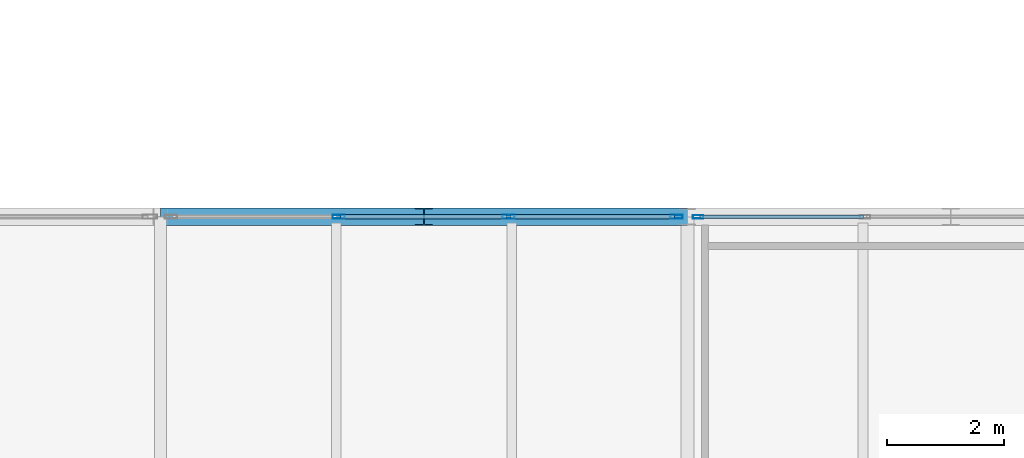
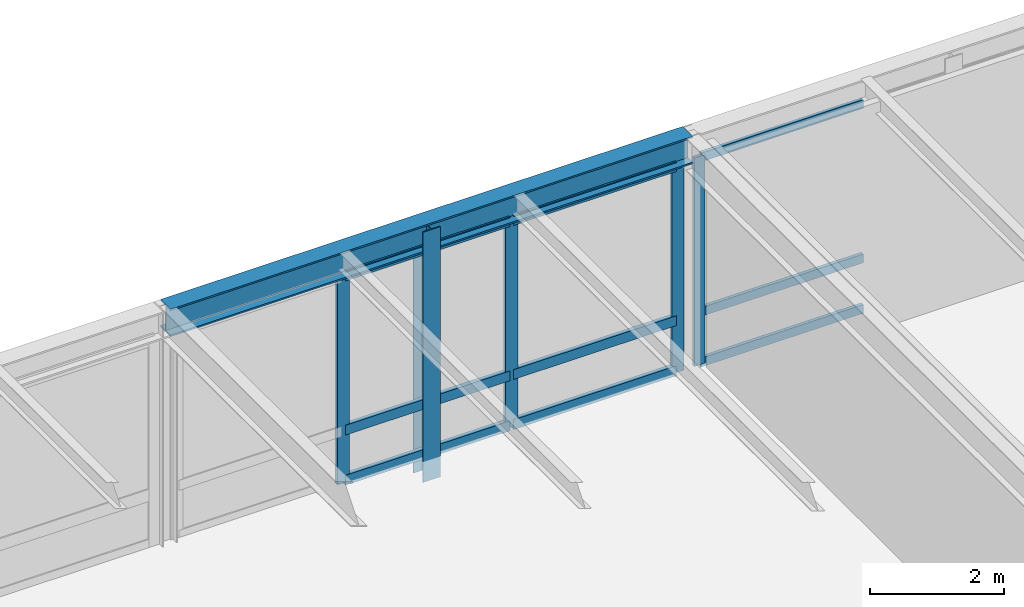
# One storey, part 72 of 115: 14 members, 1 beam, 2 elements without a shape of their own.
"""IFC4 building model written with IfcOpenShell, lengths in metres."""

from ifc_helpers import new_model, si_unit, direction, frame, origin, origin_2d, place, context, subcontext, project, spatial, hollow_rectangle, i_section, extrude, material, layer, layer_set, material_profile, profile_set, type_object, element, aggregate, save


model = new_model("IFC4")

# Units and contexts
model_context = context("Model", 3, precision=1e-05, world=origin(), true_north=direction((0.0, 1.0)))
body_context = subcontext(model_context, "Body", "Model", "MODEL_VIEW")
ifc_project = project(units=[si_unit("LENGTHUNIT", "METRE"), si_unit("AREAUNIT", "SQUARE_METRE"), si_unit("VOLUMEUNIT", "CUBIC_METRE"), si_unit("PLANEANGLEUNIT", "RADIAN"), si_unit("MASSUNIT", "GRAM", prefix="KILO")], contexts=[model_context])

# Site, building, storey
site_placement = place(None, origin())
site = spatial("IfcSite", under=ifc_project, at=site_placement, CompositionType="ELEMENT")
building_placement = place(site_placement, origin())
building = spatial("IfcBuilding", under=site, at=building_placement, Name="Montelvaro Courts of Justice", CompositionType="ELEMENT")
storey_placement = place(building_placement, frame((0.0, 0.0, 9.89990234375)))
storey = spatial("IfcBuildingStorey", under=building, at=storey_placement, Name="L02", CompositionType="ELEMENT", Elevation=9.89990234375)

# Beam
ifc_material_1 = material(Name="Steel S355", Category="steel")
ifc_material_profile_1 = material_profile(ifc_material_1, i_section(OverallWidth=0.300048828125, OverallDepth=0.5, WebThickness=0.014404296875, FlangeThickness=0.028076171875, at=origin_2d()), Name="HEB 500")
ifc_profile_set_1 = profile_set([ifc_material_profile_1], Name="Steel S355")
beam_type = type_object("IfcBeamType", Name="Beam_HEB500", PredefinedType="USERDEFINED", material=ifc_profile_set_1)
beam_placement = place(storey_placement, frame((63.0, 108.0, 4.050048828125), z_axis=(1.0, 0.0, 0.0), x_axis=(0.0, 1.0, 0.0)))
element("IfcBeam", 1, at=beam_placement, inside=storey, type_object=beam_type, Name="Beam B-25 L02", ObjectType="GIRDER", PredefinedType="USERDEFINED", context=body_context, shape_type="SweptSolid", body=[
    extrude(i_section(OverallWidth=0.300048828125, OverallDepth=0.5, WebThickness=0.014404296875, FlangeThickness=0.028076171875, at=origin_2d()), origin(), (0.0, 0.0, 1.0), 9.0),
])

# Curtain wall, member
ifc_material_2 = material(Name="Anodised aluminium EN AW-6063", Category="aluminium")
ifc_layer_1 = layer(ifc_material_2, 0.159912109375)
ifc_layer_set_1 = layer_set([ifc_layer_1], Name="Anodised aluminium EN AW-6063")
curtain_wall_type_1 = type_object("IfcCurtainWallType", Name="CurtainWall_14_867x418", PredefinedType="USERDEFINED", material=ifc_layer_set_1)
curtain_wall_1_placement = place(storey_placement, origin())
curtain_wall_1 = element("IfcCurtainWall", 2, at=curtain_wall_1_placement, inside=storey, type_object=curtain_wall_type_1, Name="Curtain Wall CW-14 (L02)", ObjectType="CURTAIN WALL", PredefinedType="USERDEFINED")
ifc_material_profile_2 = material_profile(ifc_material_2, hollow_rectangle(XDim=0.06005859375, YDim=0.179931640625, WallThickness=0.00439453125, at=origin_2d()), Name="ALU-M 60x180")
ifc_profile_set_2 = profile_set([ifc_material_profile_2], Name="Anodised aluminium EN AW-6063")
member_type_1 = type_object("IfcMemberType", Name="CurtainWall_Mullion_60x180", PredefinedType="MULLION", material=ifc_profile_set_2)
member_1_placement = place(storey_placement, frame((72.18505859375, 108.0, 0.0), z_axis=(0.0, 0.0, 1.0), x_axis=(0.0, -1.0, 0.0)))
member_1 = element("IfcMember", 3, at=member_1_placement, type_object=member_type_1, Name="CW-14 mullion 4", PredefinedType="MULLION", context=body_context, shape_type="SweptSolid", body=[
    extrude(hollow_rectangle(XDim=0.06005859375, YDim=0.179931640625, WallThickness=0.00439453125, at=origin_2d()), origin(), (0.0, 0.0, 1.0), 3.795166015625),
])

# Curtain wall, members
ifc_layer_2 = layer(ifc_material_2, 0.159912109375)
ifc_layer_set_2 = layer_set([ifc_layer_2], Name="Anodised aluminium EN AW-6063")
curtain_wall_type_2 = type_object("IfcCurtainWallType", Name="CurtainWall_18_868x418", PredefinedType="USERDEFINED", material=ifc_layer_set_2)
curtain_wall_2_placement = place(storey_placement, origin())
curtain_wall_2 = element("IfcCurtainWall", 4, at=curtain_wall_2_placement, inside=storey, type_object=curtain_wall_type_2, Name="Curtain Wall CW-18 (L02)", ObjectType="CURTAIN WALL", PredefinedType="USERDEFINED")
ifc_material_profile_3 = material_profile(ifc_material_2, hollow_rectangle(XDim=0.06494140625, YDim=0.2099609375, WallThickness=0.0048828125, at=origin_2d()), Name="ALU-M 65x210")
ifc_profile_set_3 = profile_set([ifc_material_profile_3], Name="Anodised aluminium EN AW-6063")
member_type_2 = type_object("IfcMemberType", Name="CurtainWall_Mullion_65x210", PredefinedType="MULLION", material=ifc_profile_set_3)
member_2_placement = place(storey_placement, frame((71.8125, 108.0, 0.0), z_axis=(0.0, 0.0, 1.0), x_axis=(0.0, -1.0, 0.0)))
member_2 = element("IfcMember", 5, at=member_2_placement, type_object=member_type_2, Name="CW-18 mullion 1", PredefinedType="MULLION", context=body_context, shape_type="SweptSolid", body=[
    extrude(hollow_rectangle(XDim=0.06494140625, YDim=0.2099609375, WallThickness=0.0048828125, at=origin_2d()), origin(), (0.0, 0.0, 1.0), 3.795166015625),
])
member_3_placement = place(storey_placement, frame((68.945068359375, 108.0, 0.0), z_axis=(0.0, 0.0, 1.0), x_axis=(0.0, -1.0, 0.0)))
member_3 = element("IfcMember", 6, at=member_3_placement, type_object=member_type_2, Name="CW-18 mullion 2", PredefinedType="MULLION", context=body_context, shape_type="SweptSolid", body=[
    extrude(hollow_rectangle(XDim=0.06494140625, YDim=0.2099609375, WallThickness=0.0048828125, at=origin_2d()), origin(), (0.0, 0.0, 1.0), 3.795166015625),
])
member_4_placement = place(storey_placement, frame((66.044921875, 108.0, 0.0), z_axis=(0.0, 0.0, 1.0), x_axis=(0.0, -1.0, 0.0)))
member_4 = element("IfcMember", 7, at=member_4_placement, type_object=member_type_2, Name="CW-18 mullion 3", PredefinedType="MULLION", context=body_context, shape_type="SweptSolid", body=[
    extrude(hollow_rectangle(XDim=0.06494140625, YDim=0.2099609375, WallThickness=0.0048828125, at=origin_2d()), origin(), (0.0, 0.0, 1.0), 3.795166015625),
])

# Member
ifc_material_profile_4 = material_profile(ifc_material_2, hollow_rectangle(XDim=0.06005859375, YDim=0.159912109375, WallThickness=0.00439453125, at=origin_2d()), Name="ALU-T 60x160")
ifc_profile_set_4 = profile_set([ifc_material_profile_4], Name="Anodised aluminium EN AW-6063")
member_type_3 = type_object("IfcMemberType", Name="CurtainWall_Transom_60x160", PredefinedType="USERDEFINED", material=ifc_profile_set_4)
member_5_placement = place(storey_placement, frame((75.00830078125, 108.0, 0.030029296875), z_axis=(-1.0, 0.0, 0.0), x_axis=(0.0, -1.0, 0.0)))
member_5 = element("IfcMember", 8, at=member_5_placement, type_object=member_type_3, Name="CW-14 transom 3.1", ObjectType="TRANSOM", PredefinedType="USERDEFINED", context=body_context, shape_type="SweptSolid", body=[
    extrude(hollow_rectangle(XDim=0.06005859375, YDim=0.159912109375, WallThickness=0.00439453125, at=origin_2d()), origin(), (0.0, 0.0, 1.0), 2.793212890625),
])

member_6_placement = place(storey_placement, frame((75.00830078125, 108.0, 0.9501953125), z_axis=(-1.0, 0.0, 0.0), x_axis=(0.0, -1.0, 0.0)))
member_6 = element("IfcMember", 9, at=member_6_placement, type_object=member_type_3, Name="CW-14 transom 3.2", ObjectType="TRANSOM", PredefinedType="USERDEFINED", context=body_context, shape_type="SweptSolid", body=[
    extrude(hollow_rectangle(XDim=0.06005859375, YDim=0.159912109375, WallThickness=0.00439453125, at=origin_2d()), origin(), (0.0, 0.0, 1.0), 2.793212890625),
])

member_7_placement = place(storey_placement, frame((75.00830078125, 108.0, 3.76513671875), z_axis=(-1.0, 0.0, 0.0), x_axis=(0.0, -1.0, 0.0)))
member_7 = element("IfcMember", 10, at=member_7_placement, type_object=member_type_3, Name="CW-14 transom 3.3", ObjectType="TRANSOM", PredefinedType="USERDEFINED", context=body_context, shape_type="SweptSolid", body=[
    extrude(hollow_rectangle(XDim=0.06005859375, YDim=0.159912109375, WallThickness=0.00439453125, at=origin_2d()), origin(), (0.0, 0.0, 1.0), 2.793212890625),
])

aggregate(curtain_wall_1, [member_1, member_5, member_6, member_7])

ifc_material_profile_5 = material_profile(ifc_material_2, hollow_rectangle(XDim=0.074951171875, YDim=0.179931640625, WallThickness=0.0048828125, at=origin_2d()), Name="ALU-T 75x180")
ifc_profile_set_5 = profile_set([ifc_material_profile_5], Name="Anodised aluminium EN AW-6063")
member_type_4 = type_object("IfcMemberType", Name="CurtainWall_Transom_75x180", PredefinedType="USERDEFINED", material=ifc_profile_set_5)
member_8_placement = place(storey_placement, frame((71.780029296875, 108.0, 0.03759765625), z_axis=(-1.0, 0.0, 0.0), x_axis=(0.0, -1.0, 0.0)))
member_8 = element("IfcMember", 11, at=member_8_placement, type_object=member_type_4, Name="CW-18 transom 1.1", ObjectType="TRANSOM", PredefinedType="USERDEFINED", context=body_context, shape_type="SweptSolid", body=[
    extrude(hollow_rectangle(XDim=0.074951171875, YDim=0.179931640625, WallThickness=0.0048828125, at=origin_2d()), origin(), (0.0, 0.0, 1.0), 2.802490234375),
])

member_9_placement = place(storey_placement, frame((71.780029296875, 108.0, 0.9501953125), z_axis=(-1.0, 0.0, 0.0), x_axis=(0.0, -1.0, 0.0)))
member_9 = element("IfcMember", 12, at=member_9_placement, type_object=member_type_4, Name="CW-18 transom 1.2", ObjectType="TRANSOM", PredefinedType="USERDEFINED", context=body_context, shape_type="SweptSolid", body=[
    extrude(hollow_rectangle(XDim=0.074951171875, YDim=0.179931640625, WallThickness=0.0048828125, at=origin_2d()), origin(), (0.0, 0.0, 1.0), 2.802490234375),
])

member_10_placement = place(storey_placement, frame((71.780029296875, 108.0, 3.757568359375), z_axis=(-1.0, 0.0, 0.0), x_axis=(0.0, -1.0, 0.0)))
member_10 = element("IfcMember", 13, at=member_10_placement, type_object=member_type_4, Name="CW-18 transom 1.3", ObjectType="TRANSOM", PredefinedType="USERDEFINED", context=body_context, shape_type="SweptSolid", body=[
    extrude(hollow_rectangle(XDim=0.074951171875, YDim=0.179931640625, WallThickness=0.0048828125, at=origin_2d()), origin(), (0.0, 0.0, 1.0), 2.802490234375),
])

member_11_placement = place(storey_placement, frame((68.91259765625, 108.0, 0.03759765625), z_axis=(-1.0, 0.0, 0.0), x_axis=(0.0, -1.0, 0.0)))
member_11 = element("IfcMember", 14, at=member_11_placement, type_object=member_type_4, Name="CW-18 transom 2.1", ObjectType="TRANSOM", PredefinedType="USERDEFINED", context=body_context, shape_type="SweptSolid", body=[
    extrude(hollow_rectangle(XDim=0.074951171875, YDim=0.179931640625, WallThickness=0.0048828125, at=origin_2d()), origin(), (0.0, 0.0, 1.0), 2.835205078125),
])

member_12_placement = place(storey_placement, frame((68.91259765625, 108.0, 0.9501953125), z_axis=(-1.0, 0.0, 0.0), x_axis=(0.0, -1.0, 0.0)))
member_12 = element("IfcMember", 15, at=member_12_placement, type_object=member_type_4, Name="CW-18 transom 2.2", ObjectType="TRANSOM", PredefinedType="USERDEFINED", context=body_context, shape_type="SweptSolid", body=[
    extrude(hollow_rectangle(XDim=0.074951171875, YDim=0.179931640625, WallThickness=0.0048828125, at=origin_2d()), origin(), (0.0, 0.0, 1.0), 2.835205078125),
])

member_13_placement = place(storey_placement, frame((68.91259765625, 108.0, 3.757568359375), z_axis=(-1.0, 0.0, 0.0), x_axis=(0.0, -1.0, 0.0)))
member_13 = element("IfcMember", 16, at=member_13_placement, type_object=member_type_4, Name="CW-18 transom 2.3", ObjectType="TRANSOM", PredefinedType="USERDEFINED", context=body_context, shape_type="SweptSolid", body=[
    extrude(hollow_rectangle(XDim=0.074951171875, YDim=0.179931640625, WallThickness=0.0048828125, at=origin_2d()), origin(), (0.0, 0.0, 1.0), 2.835205078125),
])

aggregate(curtain_wall_2, [member_2, member_3, member_4, member_8, member_9, member_10, member_11, member_12, member_13])

ifc_material_profile_6 = material_profile(ifc_material_1, i_section(OverallWidth=0.300048828125, OverallDepth=0.300048828125, WebThickness=0.010986328125, FlangeThickness=0.01904296875, at=origin_2d()), Name="HEB 300")
ifc_profile_set_6 = profile_set([ifc_material_profile_6], Name="Steel S355")
member_type_5 = type_object("IfcMemberType", Name="Mem_HEB300_Post", PredefinedType="POST", material=ifc_profile_set_6)
member_14_placement = place(storey_placement, frame((67.5, 108.0, -0.3798828125), z_axis=(0.0, 0.0, 1.0), x_axis=(1.0, 0.0, 0.0)))
element("IfcMember", 17, at=member_14_placement, inside=storey, type_object=member_type_5, Name="Ceremonial Clerestory Structural Post MP-02-05", PredefinedType="POST", context=body_context, shape_type="SweptSolid", body=[
    extrude(i_section(OverallWidth=0.300048828125, OverallDepth=0.300048828125, WebThickness=0.010986328125, FlangeThickness=0.01904296875, at=origin_2d()), origin(), (0.0, 0.0, 1.0), 4.56005859375),
])

save(model, "model.ifc")
